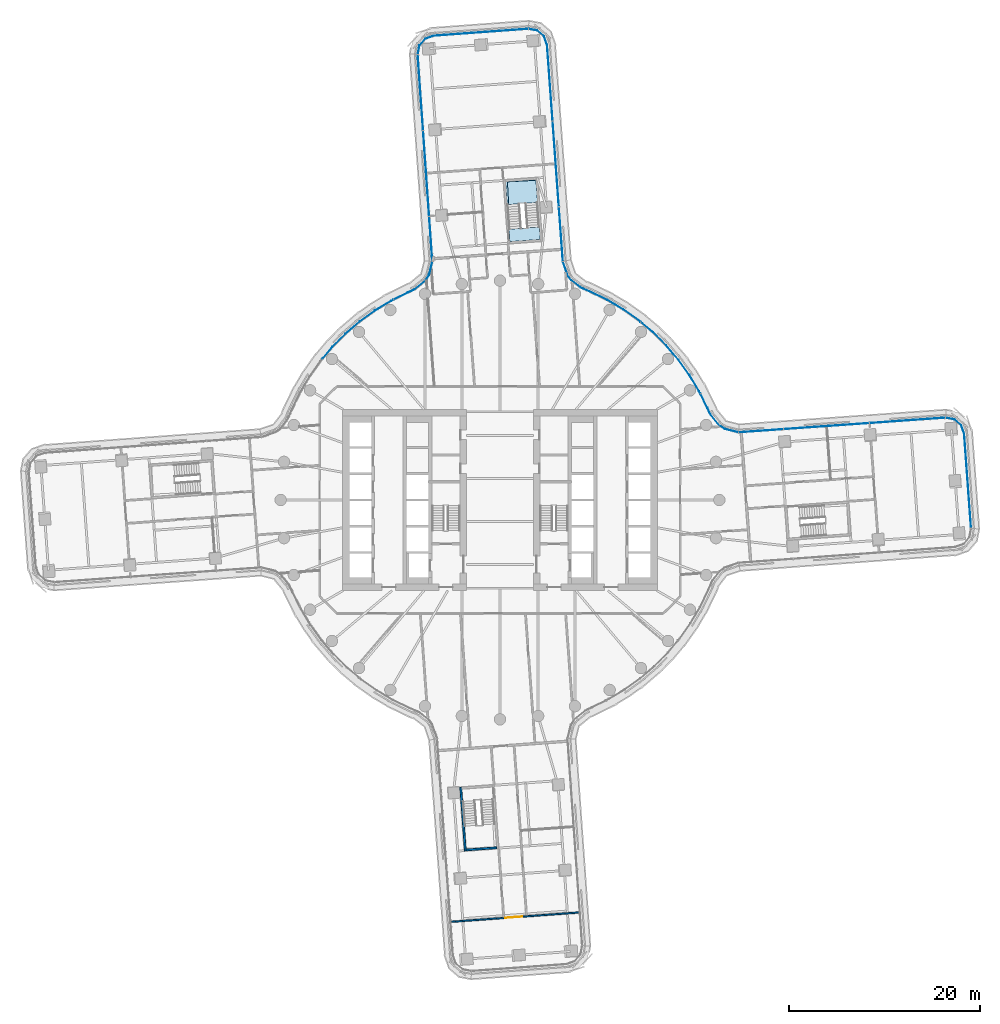
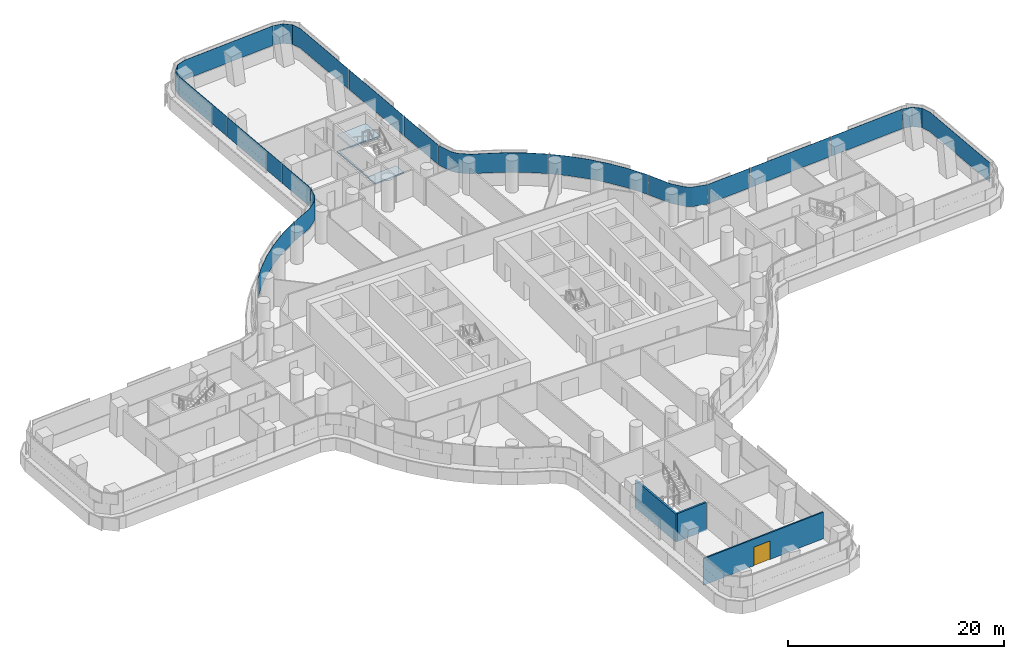
# One storey, part 18 of 31: 16 plates, 3 walls, 2 slabs, 1 door, 1 opening, 8 elements without a shape of their own.
"""IFC4 building model written with IfcOpenShell, lengths in metres."""

from ifc_helpers import new_model, si_unit, direction, frame, frame_2d, origin, place, context, subcontext, project, spatial, polyline, rectangle, outline, extrude, material, layer, layer_set, type_object, element, fill, aggregate, save


model = new_model("IFC4")

# Units and contexts
model_context = context("Model", 3, precision=1e-05, world=origin(), true_north=direction((0.0, 1.0)))
body_context = subcontext(model_context, "Body", "Model", "MODEL_VIEW")
ifc_project = project(units=[si_unit("LENGTHUNIT", "METRE"), si_unit("AREAUNIT", "SQUARE_METRE"), si_unit("VOLUMEUNIT", "CUBIC_METRE"), si_unit("PLANEANGLEUNIT", "RADIAN"), si_unit("MASSUNIT", "GRAM", prefix="KILO")], contexts=[model_context])

# Site, building, storey
site_placement = place(None, origin())
site = spatial("IfcSite", under=ifc_project, at=site_placement, CompositionType="ELEMENT")
building_placement = place(site_placement, origin())
building = spatial("IfcBuilding", under=site, at=building_placement, Name="Tamarind Cross Interchange Tower", CompositionType="ELEMENT")
storey_placement = place(building_placement, frame((0.0, 0.0, 49.0)))
storey = spatial("IfcBuildingStorey", under=building, at=storey_placement, Name="L10", CompositionType="ELEMENT", Elevation=49.0)

# Slab
ifc_material_1 = material(Name="Concrete C35", Category="concrete")
ifc_layer_1 = layer(ifc_material_1, 0.139892578125)
ifc_layer_set_1 = layer_set([ifc_layer_1], Name="Concrete C35")
slab_type_1 = type_object("IfcSlabType", Name="Composite slab 140 Concrete C35", PredefinedType="FLOOR", material=ifc_layer_set_1)
slab_1_placement = place(storey_placement, frame((0.0, 0.0, -0.139892578125)))
element("IfcSlab", 1, at=slab_1_placement, inside=storey, type_object=slab_type_1, Name="Floor slab L10", PredefinedType="FLOOR", context=body_context, shape_type="SweptSolid", body=[
    extrude(outline(polyline([(0.780029296875, 33.359619140625), (3.770263671875, 33.5234375), (3.764404296875, 33.605224609375), (0.57275390625, 33.3720703125), (1.031982421875, 27.088623046875), (4.223388671875, 27.322021484375), (4.1337890625, 28.5478515625), (4.127685546875, 28.63037109375), (1.05126953125, 28.405517578125), (0.780029296875, 33.359619140625)])), origin(), (0.0, 0.0, 1.0), 0.139892578125),
])

# Stair, slab
ifc_material_2 = material(Name="Exit stair")
stair_type = type_object("IfcStairType", Name="Exit stair", PredefinedType="HALF_TURN_STAIR", material=ifc_material_2)
stair_placement = place(storey_placement, origin())
stair = element("IfcStair", 2, at=stair_placement, inside=storey, type_object=stair_type, Name="L10 exit stair ST4", PredefinedType="HALF_TURN_STAIR")
ifc_material_3 = material(Name="Concrete C40", Category="concrete")
ifc_layer_2 = layer(ifc_material_3, 0.199951171875)
ifc_layer_set_2 = layer_set([ifc_layer_2], Name="Concrete C40")
slab_type_2 = type_object("IfcSlabType", Name="Stair landing", PredefinedType="LANDING", material=ifc_layer_set_2)
slab_2_placement = place(storey_placement, frame((0.0, 0.0, 1.675048828125)))
slab_2 = element("IfcSlab", 3, at=slab_2_placement, type_object=slab_type_2, Name="ST4 landing 1", PredefinedType="LANDING", context=body_context, shape_type="SweptSolid", body=[
    extrude(outline(polyline([(3.93994140625, 31.19970703125), (3.76416015625, 33.605224609375), (0.57275390625, 33.3720703125), (0.74853515625, 30.96630859375), (3.93994140625, 31.19970703125)])), origin(), (0.0, 0.0, 1.0), 0.199951171875),
])
aggregate(stair, [slab_2])

# Curtain wall, plate
ifc_material_4 = material(Name="Aluminium 6063-T6", Category="aluminium")
ifc_layer_3 = layer(ifc_material_4, 0.159912109375)
ifc_layer_set_3 = layer_set([ifc_layer_3], Name="Aluminium 6063-T6")
curtain_wall_type = type_object("IfcCurtainWallType", Name="Office curtain wall, 9.0 m bays", PredefinedType="NOTDEFINED", material=ifc_layer_set_3)
curtain_wall_1_placement = place(storey_placement, origin())
curtain_wall_1 = element("IfcCurtainWall", 4, at=curtain_wall_1_placement, inside=storey, type_object=curtain_wall_type, Name="CWS-L10-00", PredefinedType="NOTDEFINED")
ifc_material_5 = material(Name="Laminated low-e glass 8+1.52+8", Category="glass")
ifc_layer_4 = layer(ifc_material_5, 0.028076171875)
ifc_layer_set_4 = layer_set([ifc_layer_4], Name="Laminated low-e glass 8+1.52+8")
plate_type = type_object("IfcPlateType", Name="Vision panel CW1", PredefinedType="CURTAIN_PANEL", material=ifc_layer_set_4)
plate_1_placement = place(storey_placement, frame((0.0, 0.0, 1.39990234375)))
plate_1 = element("IfcPlate", 5, at=plate_1_placement, type_object=plate_type, Name="CWP-L10-00-00", PredefinedType="CURTAIN_PANEL", context=body_context, shape_type="SweptSolid", body=[
    extrude(outline(polyline([(2.95556640625, 49.386962890625), (-6.933349609375, 48.664306640625), (-7.83056640625, 48.352294921875), (-8.432373046875, 47.65576171875), (-8.60546875, 46.750244140625), (-8.6328125, 46.755615234375), (-8.45849609375, 47.668212890625), (-7.8466796875, 48.37646484375), (-6.939208984375, 48.692138671875), (2.95361328125, 49.4150390625), (2.95556640625, 49.386962890625)])), origin(), (0.0, 0.0, 1.0), 2.210205078125),
])
aggregate(curtain_wall_1, [plate_1])

# Curtain wall, plates
curtain_wall_2_placement = place(storey_placement, origin())
curtain_wall_2 = element("IfcCurtainWall", 6, at=curtain_wall_2_placement, inside=storey, type_object=curtain_wall_type, Name="CWS-L10-01", PredefinedType="NOTDEFINED")
plate_2_placement = place(storey_placement, frame((0.0, 0.0, 1.39990234375)))
plate_2 = element("IfcPlate", 7, at=plate_2_placement, type_object=plate_type, Name="CWP-L10-01-00", PredefinedType="CURTAIN_PANEL", context=body_context, shape_type="SweptSolid", body=[
    extrude(outline(polyline([(-8.608642578125, 46.694580078125), (-8.047119140625, 38.759521484375), (-8.074951171875, 38.757568359375), (-8.636474609375, 46.692626953125), (-8.608642578125, 46.694580078125)])), origin(), (0.0, 0.0, 1.0), 2.210205078125),
])
plate_3_placement = place(storey_placement, frame((0.0, 0.0, 1.39990234375)))
plate_3 = element("IfcPlate", 8, at=plate_3_placement, type_object=plate_type, Name="CWP-L10-01-01", PredefinedType="CURTAIN_PANEL", context=body_context, shape_type="SweptSolid", body=[
    extrude(outline(polyline([(-8.04296875, 38.69970703125), (-7.41162109375, 29.779541015625), (-7.439453125, 29.777587890625), (-8.07080078125, 38.69775390625), (-8.04296875, 38.69970703125)])), origin(), (0.0, 0.0, 1.0), 2.210205078125),
])
plate_4_placement = place(storey_placement, frame((0.0, 0.0, 1.39990234375)))
plate_4 = element("IfcPlate", 9, at=plate_4_placement, type_object=plate_type, Name="CWP-L10-01-02", PredefinedType="CURTAIN_PANEL", context=body_context, shape_type="SweptSolid", body=[
    extrude(outline(polyline([(-7.407470703125, 29.7197265625), (-7.076171875, 25.041015625), (-7.104248046875, 25.0390625), (-7.435302734375, 29.7177734375), (-7.407470703125, 29.7197265625)])), origin(), (0.0, 0.0, 1.0), 2.210205078125),
])
aggregate(curtain_wall_2, [plate_2, plate_3, plate_4])

curtain_wall_3_placement = place(storey_placement, origin())
curtain_wall_3 = element("IfcCurtainWall", 10, at=curtain_wall_3_placement, inside=storey, type_object=curtain_wall_type, Name="CWS-L10-02", PredefinedType="NOTDEFINED")
plate_5_placement = place(storey_placement, frame((0.0, 0.0, 1.39990234375)))
plate_5 = element("IfcPlate", 11, at=plate_5_placement, type_object=plate_type, Name="CWP-L10-02-00", PredefinedType="CURTAIN_PANEL", context=body_context, shape_type="SweptSolid", body=[
    extrude(outline(polyline([(-7.081787109375, 24.977783203125), (-7.428955078125, 23.588623046875), (-7.790771484375, 23.015380859375), (-8.913818359375, 22.088623046875), (-9.639892578125, 21.74072265625), (-11.108154296875, 21.01513671875), (-11.12060546875, 21.040283203125), (-9.652099609375, 21.765869140625), (-8.928955078125, 22.112548828125), (-7.81201171875, 23.0341796875), (-7.455078125, 23.599853515625), (-7.10888671875, 24.984375), (-7.081787109375, 24.977783203125)])), origin(), (0.0, 0.0, 1.0), 2.210205078125),
])
plate_6_placement = place(storey_placement, frame((0.0, 0.0, 1.39990234375)))
plate_6 = element("IfcPlate", 12, at=plate_6_placement, type_object=plate_type, Name="CWP-L10-02-01", PredefinedType="CURTAIN_PANEL", context=body_context, shape_type="SweptSolid", body=[
    extrude(outline(polyline([(-11.161865234375, 20.988525390625), (-11.40869140625, 20.866455078125), (-13.093017578125, 19.85302734375), (-14.687744140625, 18.7041015625), (-16.18212890625, 17.42724609375), (-17.56591796875, 16.031494140625), (-18.625, 14.77001953125), (-18.646484375, 14.7880859375), (-17.586669921875, 16.05029296875), (-16.201171875, 17.44775390625), (-14.705078125, 18.72607421875), (-13.1083984375, 19.87646484375), (-11.422119140625, 20.89111328125), (-11.17431640625, 21.013671875), (-11.161865234375, 20.988525390625)])), origin(), (0.0, 0.0, 1.0), 2.210205078125),
])
aggregate(curtain_wall_3, [plate_5, plate_6])

# Curtain wall, plate
curtain_wall_4_placement = place(storey_placement, origin())
curtain_wall_4 = element("IfcCurtainWall", 13, at=curtain_wall_4_placement, inside=storey, type_object=curtain_wall_type, Name="CWS-L10-12", PredefinedType="NOTDEFINED")
plate_7_placement = place(storey_placement, frame((0.0, 0.0, 1.39990234375)))
plate_7 = element("IfcPlate", 14, at=plate_7_placement, type_object=plate_type, Name="CWP-L10-12-00", PredefinedType="CURTAIN_PANEL", context=body_context, shape_type="SweptSolid", body=[
    extrude(outline(polyline([(49.386962890625, -2.95556640625), (48.664306640625, 6.933349609375), (48.352294921875, 7.83056640625), (47.65576171875, 8.432373046875), (46.750244140625, 8.60546875), (46.755615234375, 8.6328125), (47.668212890625, 8.45849609375), (48.37646484375, 7.8466796875), (48.692138671875, 6.939208984375), (49.4150390625, -2.95361328125), (49.386962890625, -2.95556640625)])), origin(), (0.0, 0.0, 1.0), 2.210205078125),
])
aggregate(curtain_wall_4, [plate_7])

# Curtain wall, plates
curtain_wall_5_placement = place(storey_placement, origin())
curtain_wall_5 = element("IfcCurtainWall", 15, at=curtain_wall_5_placement, inside=storey, type_object=curtain_wall_type, Name="CWS-L10-13", PredefinedType="NOTDEFINED")
plate_8_placement = place(storey_placement, frame((0.0, 0.0, 1.39990234375)))
plate_8 = element("IfcPlate", 16, at=plate_8_placement, type_object=plate_type, Name="CWP-L10-13-00", PredefinedType="CURTAIN_PANEL", context=body_context, shape_type="SweptSolid", body=[
    extrude(outline(polyline([(46.694580078125, 8.608642578125), (38.759521484375, 8.047119140625), (38.757568359375, 8.074951171875), (46.692626953125, 8.636474609375), (46.694580078125, 8.608642578125)])), origin(), (0.0, 0.0, 1.0), 2.210205078125),
])
plate_9_placement = place(storey_placement, frame((0.0, 0.0, 1.39990234375)))
plate_9 = element("IfcPlate", 17, at=plate_9_placement, type_object=plate_type, Name="CWP-L10-13-01", PredefinedType="CURTAIN_PANEL", context=body_context, shape_type="SweptSolid", body=[
    extrude(outline(polyline([(38.69970703125, 8.04296875), (29.779541015625, 7.41162109375), (29.777587890625, 7.439453125), (38.69775390625, 8.07080078125), (38.69970703125, 8.04296875)])), origin(), (0.0, 0.0, 1.0), 2.210205078125),
])
plate_10_placement = place(storey_placement, frame((0.0, 0.0, 1.39990234375)))
plate_10 = element("IfcPlate", 18, at=plate_10_placement, type_object=plate_type, Name="CWP-L10-13-02", PredefinedType="CURTAIN_PANEL", context=body_context, shape_type="SweptSolid", body=[
    extrude(outline(polyline([(29.7197265625, 7.407470703125), (25.041015625, 7.076171875), (25.0390625, 7.104248046875), (29.7177734375, 7.435302734375), (29.7197265625, 7.407470703125)])), origin(), (0.0, 0.0, 1.0), 2.210205078125),
])
aggregate(curtain_wall_5, [plate_8, plate_9, plate_10])

curtain_wall_6_placement = place(storey_placement, origin())
curtain_wall_6 = element("IfcCurtainWall", 19, at=curtain_wall_6_placement, inside=storey, type_object=curtain_wall_type, Name="CWS-L10-14", PredefinedType="NOTDEFINED")
plate_11_placement = place(storey_placement, frame((0.0, 0.0, 1.39990234375)))
plate_11 = element("IfcPlate", 20, at=plate_11_placement, type_object=plate_type, Name="CWP-L10-14-00", PredefinedType="CURTAIN_PANEL", context=body_context, shape_type="SweptSolid", body=[
    extrude(outline(polyline([(24.977783203125, 7.081787109375), (23.588623046875, 7.428955078125), (23.015380859375, 7.790771484375), (22.088623046875, 8.913818359375), (21.74072265625, 9.639892578125), (21.01513671875, 11.108154296875), (21.040283203125, 11.12060546875), (21.765869140625, 9.652099609375), (22.112548828125, 8.928955078125), (23.0341796875, 7.81201171875), (23.599853515625, 7.455078125), (24.984375, 7.10888671875), (24.977783203125, 7.081787109375)])), origin(), (0.0, 0.0, 1.0), 2.210205078125),
])
plate_12_placement = place(storey_placement, frame((0.0, 0.0, 1.39990234375)))
plate_12 = element("IfcPlate", 21, at=plate_12_placement, type_object=plate_type, Name="CWP-L10-14-01", PredefinedType="CURTAIN_PANEL", context=body_context, shape_type="SweptSolid", body=[
    extrude(outline(polyline([(20.988525390625, 11.161865234375), (20.866455078125, 11.40869140625), (19.85302734375, 13.093017578125), (18.7041015625, 14.687744140625), (17.42724609375, 16.18212890625), (16.031494140625, 17.56591796875), (14.77001953125, 18.625), (14.7880859375, 18.646484375), (16.05029296875, 17.586669921875), (17.44775390625, 16.201171875), (18.72607421875, 14.705078125), (19.87646484375, 13.1083984375), (20.89111328125, 11.422119140625), (21.013671875, 11.17431640625), (20.988525390625, 11.161865234375)])), origin(), (0.0, 0.0, 1.0), 2.210205078125),
])
plate_13_placement = place(storey_placement, frame((0.0, 0.0, 1.39990234375)))
plate_13 = element("IfcPlate", 22, at=plate_13_placement, type_object=plate_type, Name="CWP-L10-14-02", PredefinedType="CURTAIN_PANEL", context=body_context, shape_type="SweptSolid", body=[
    extrude(outline(polyline([(14.72412109375, 18.66357421875), (14.526123046875, 18.829833984375), (12.921630859375, 19.965087890625), (11.228759765625, 20.9638671875), (9.455078125, 21.821533203125), (8.485595703125, 22.242919921875), (7.45458984375, 23.032470703125), (7.093505859375, 23.521484375), (6.593994140625, 24.986572265625), (6.620361328125, 24.99560546875), (7.11865234375, 23.53466796875), (7.474609375, 23.05224609375), (8.5, 22.26708984375), (9.466796875, 21.846923828125), (11.241943359375, 20.98876953125), (12.936767578125, 19.988525390625), (14.543212890625, 18.85205078125), (14.7421875, 18.68505859375), (14.72412109375, 18.66357421875)])), origin(), (0.0, 0.0, 1.0), 2.210205078125),
])
aggregate(curtain_wall_6, [plate_11, plate_12, plate_13])

curtain_wall_7_placement = place(storey_placement, origin())
curtain_wall_7 = element("IfcCurtainWall", 23, at=curtain_wall_7_placement, inside=storey, type_object=curtain_wall_type, Name="CWS-L10-15", PredefinedType="NOTDEFINED")
plate_14_placement = place(storey_placement, frame((0.0, 0.0, 1.39990234375)))
plate_14 = element("IfcPlate", 24, at=plate_14_placement, type_object=plate_type, Name="CWP-L10-15-00", PredefinedType="CURTAIN_PANEL", context=body_context, shape_type="SweptSolid", body=[
    extrude(outline(polyline([(6.581298828125, 25.04833984375), (6.167236328125, 30.716796875), (6.195068359375, 30.71875), (6.609375, 25.05029296875), (6.581298828125, 25.04833984375)])), origin(), (0.0, 0.0, 1.0), 2.210205078125),
])
plate_15_placement = place(storey_placement, frame((0.0, 0.0, 1.39990234375)))
plate_15 = element("IfcPlate", 25, at=plate_15_placement, type_object=plate_type, Name="CWP-L10-15-01", PredefinedType="CURTAIN_PANEL", context=body_context, shape_type="SweptSolid", body=[
    extrude(outline(polyline([(6.162841796875, 30.776611328125), (5.51123046875, 39.692626953125), (5.539306640625, 39.694580078125), (6.190673828125, 30.778564453125), (6.162841796875, 30.776611328125)])), origin(), (0.0, 0.0, 1.0), 2.210205078125),
])
plate_16_placement = place(storey_placement, frame((0.0, 0.0, 1.39990234375)))
plate_16 = element("IfcPlate", 26, at=plate_16_placement, type_object=plate_type, Name="CWP-L10-15-02", PredefinedType="CURTAIN_PANEL", context=body_context, shape_type="SweptSolid", body=[
    extrude(outline(polyline([(5.5068359375, 39.75244140625), (4.92529296875, 47.7119140625), (4.61328125, 48.60888671875), (3.916748046875, 49.210693359375), (3.011474609375, 49.3837890625), (3.0166015625, 49.411376953125), (3.92919921875, 49.23681640625), (4.63720703125, 48.625244140625), (4.952880859375, 47.717529296875), (5.534912109375, 39.75439453125), (5.5068359375, 39.75244140625)])), origin(), (0.0, 0.0, 1.0), 2.210205078125),
])
aggregate(curtain_wall_7, [plate_14, plate_15, plate_16])

# Wall, opening, door
ifc_material_6 = material(Name="Gypsum board partition on steel studs", Category="steel")
ifc_layer_5 = layer(ifc_material_6, 0.14990234375)
ifc_layer_set_5 = layer_set([ifc_layer_5], Name="Gypsum board partition on steel studs")
wall_type_1 = type_object("IfcWallType", Name="Partition 150 mm EI 120", PredefinedType="PARTITIONING", material=ifc_layer_set_5)
wall_1_placement = place(storey_placement, frame((-5.092529296875, -44.22998046875, 0.0), z_axis=(0.0, 0.0, 1.0), x_axis=(0.997341928528, 0.072863417439, 0.0)))
wall_1 = element("IfcWall", 27, at=wall_1_placement, inside=storey, type_object=wall_type_1, Name="Partition L10-057", PredefinedType="PARTITIONING", context=body_context, shape_type="SweptSolid", body=[
    extrude(rectangle(XDim=13.406005859375, YDim=0.14990234375, at=frame_2d((6.703125, 0.0))), origin(), (0.0, 0.0, 1.0), 3.010009765625),
])
opening_placement = place(wall_1_placement, frame((5.649169921875, 0.0, 0.0)))
opening = element("IfcOpeningElement", 28, at=opening_placement, cuts=wall_1, Name="Opening D32", PredefinedType="OPENING", context=body_context, shape_type="SweptSolid", body=[
    extrude(rectangle(XDim=1.800048828125, YDim=2.10009765625, at=frame_2d((0.89990234375, 1.050048828125))), frame((0.0, 0.0849609375, 0.0), z_axis=(0.0, -1.0, 0.0), x_axis=(1.0, 0.0, 0.0)), (0.0, 0.0, 1.0), 0.169921875),
])
ifc_material_7 = material(Name="Fire-resisting door set")
door_type = type_object("IfcDoorType", Name="Interior door 1800 x 2100 FD60S", OperationType="DOUBLE_DOOR_SINGLE_SWING", PredefinedType="DOOR", material=ifc_material_7)
door_placement = place(opening_placement, frame((1.800048828125, 0.0, 0.0), z_axis=(0.0, 0.0, 1.0), x_axis=(-1.0, 0.0, 0.0)))
door = element("IfcDoor", 29, at=door_placement, inside=storey, type_object=door_type, Name="Door D32", OperationType="DOUBLE_DOOR_SINGLE_SWING", OverallHeight=2.10009765625, OverallWidth=1.800048828125, PredefinedType="DOOR", context=body_context, shape_type="SweptSolid", body=[
    extrude(rectangle(XDim=1.800048828125, YDim=2.10009765625, at=frame_2d((0.89990234375, 1.050048828125))), frame((0.0, 0.02490234375, 0.0), z_axis=(0.0, -1.0, 0.0), x_axis=(1.0, 0.0, 0.0)), (0.0, 0.0, 1.0), 0.050048828125),
])
fill(opening, door)

# Walls
ifc_layer_6 = layer(ifc_material_3, 0.199951171875)
ifc_layer_set_6 = layer_set([ifc_layer_6], Name="Concrete C40")
wall_type_2 = type_object("IfcWallType", Name="Stair shaft wall 200 mm Concrete C40", PredefinedType="SHEAR", material=ifc_layer_set_6)
wall_2_placement = place(storey_placement, frame((-4.119140625, -30.121826171875, -0.139892578125), z_axis=(0.0, 0.0, 1.0), x_axis=(0.072878394899, -0.997340834197, 0.0)))
element("IfcWall", 30, at=wall_2_placement, inside=storey, type_object=wall_type_2, Name="Core wall CWL-L10-ST6-C", PredefinedType="SHEAR", context=body_context, shape_type="SweptSolid", body=[
    extrude(rectangle(XDim=6.699951171875, YDim=0.199951171875, at=frame_2d((3.35009765625, 0.0))), origin(), (0.0, 0.0, 1.0), 3.14990234375),
])
wall_3_placement = place(storey_placement, frame((0.0, 0.0, -0.139892578125)))
element("IfcWall", 31, at=wall_3_placement, inside=storey, type_object=wall_type_2, Name="Core wall CWL-L10-ST6-CF", PredefinedType="SHEAR", context=body_context, shape_type="SweptSolid", body=[
    extrude(outline(polyline([(-3.545654296875, -36.59716796875), (-3.531005859375, -36.796630859375), (-0.339599609375, -36.5634765625), (-0.35400390625, -36.364013671875), (-3.545654296875, -36.59716796875)])), origin(), (0.0, 0.0, 1.0), 3.14990234375),
])

save(model, "model.ifc")
